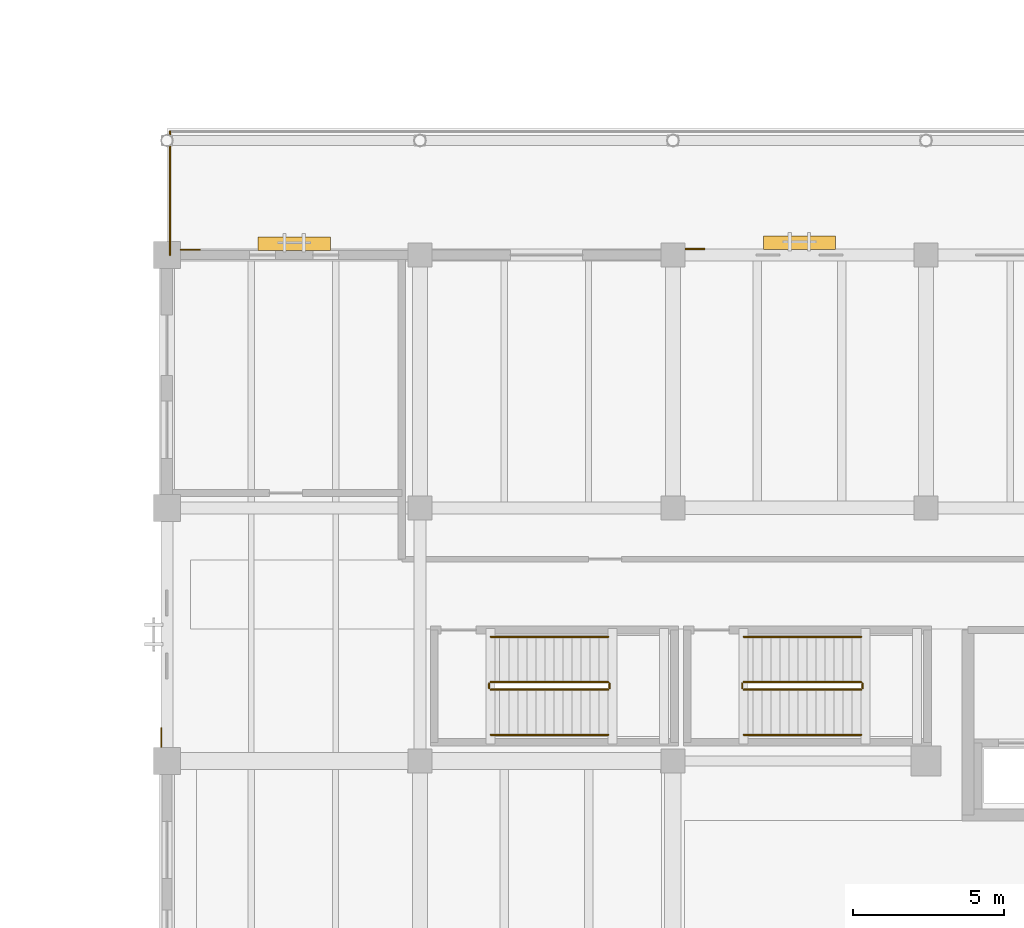
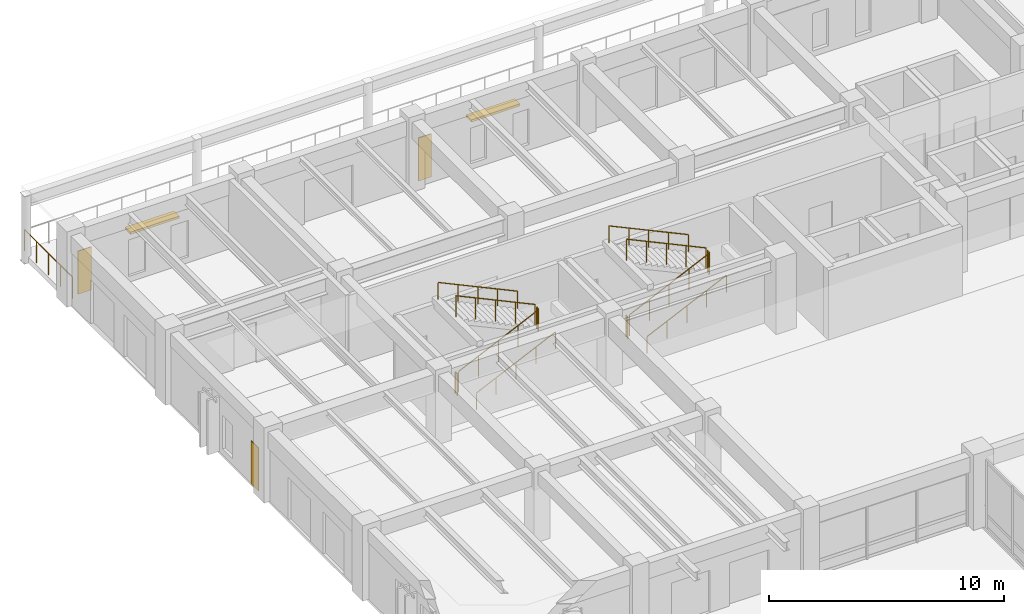
# One storey, part 116 of 135: 13 railings, 3 coverings, 2 shading devices.
"""IFC4 building model written with IfcOpenShell, lengths in metres."""

from ifc_helpers import new_model, si_unit, direction, frame, origin, origin_2d, place, context, subcontext, project, spatial, polyline, rectangle, circle, outline, extrude, material, layer, layer_set, type_object, element, save


model = new_model("IFC4")

# Units and contexts
model_context = context("Model", 3, precision=1e-05, world=origin(), true_north=direction((0.0, 1.0)))
body_context = subcontext(model_context, "Body", "Model", "MODEL_VIEW")
ifc_project = project(units=[si_unit("LENGTHUNIT", "METRE"), si_unit("AREAUNIT", "SQUARE_METRE"), si_unit("VOLUMEUNIT", "CUBIC_METRE"), si_unit("PLANEANGLEUNIT", "RADIAN"), si_unit("MASSUNIT", "GRAM", prefix="KILO")], contexts=[model_context])

# Site, building, storey
site_placement = place(None, origin())
site = spatial("IfcSite", under=ifc_project, at=site_placement, CompositionType="ELEMENT")
building_placement = place(site_placement, origin())
building = spatial("IfcBuilding", under=site, at=building_placement, Name="Cumbredor Promenade Congress Hotel", CompositionType="ELEMENT")
storey_placement = place(building_placement, origin())
storey = spatial("IfcBuildingStorey", under=building, at=storey_placement, Name="L00", CompositionType="ELEMENT", Elevation=0.0)

# Covering
ifc_material_1 = material(Name="Precast concrete C40/50", Category="concrete")
ifc_layer_1 = layer(ifc_material_1, 0.044921875, Name="Precast concrete C40/50", Category="concrete")
ifc_layer_set_1 = layer_set([ifc_layer_1], Name="Precast concrete C40/50")
covering_type_1 = type_object("IfcCoveringType", Name="Board-Formed Architectural Cladding Panel 45mm", PredefinedType="CLADDING", material=ifc_layer_set_1)
covering_1_placement = place(storey_placement, origin())
element("IfcCovering", 1, at=covering_1_placement, inside=storey, type_object=covering_type_1, Name="L00 Facade Stone Cladding Pier 038", PredefinedType="CLADDING", context=body_context, shape_type="SweptSolid", body=[
    extrude(outline(polyline([(17.200927734375, 117.77490234375), (17.85107421875, 117.77490234375), (17.85107421875, 117.820068359375), (17.200927734375, 117.820068359375), (17.200927734375, 117.77490234375)])), origin(), (0.0, 0.0, 1.0), 2.25),
])

# Shading devices
ifc_material_2 = material(Name="Thermally broken anodized aluminium", Category="aluminium")
shading_device_type = type_object("IfcShadingDeviceType", Name="Horizontal Bronze Jalousie Louvre JAL-01", PredefinedType="JALOUSIE", material=ifc_material_2)
for number, where, z_axis, x_axis, name in (
    (2, (4.22509765625, 117.97509765625, 2.2099609375), (0.0, 0.0, 1.0), (1.0, 0.0, 0.0), "L00 Horizontal Bronze Jalousie 027"),
    (3, (21.0, 118.0, 2.159912109375), (0.0, 0.0, 1.0), (1.0, 0.0, 0.0), "L00 Horizontal Bronze Jalousie 028"),
):
    element("IfcShadingDevice", number, at=place(storey_placement, frame(where, z_axis=z_axis, x_axis=x_axis)), inside=storey, type_object=shading_device_type, Name=name, PredefinedType="JALOUSIE", context=body_context, shape_type="SweptSolid", body=[
        extrude(rectangle(XDim=2.39990234375, YDim=0.449951171875, at=origin_2d()), origin(), (0.0, 0.0, 1.0), 0.1201171875),
    ])

# Railings
ifc_material_3 = material(Name="Brushed stainless steel", Category="steel")
railing_type_1 = type_object("IfcRailingType", Name="Interior Void & Stair Guardrail GR-1100", PredefinedType="GUARDRAIL", material=ifc_material_3)
railing_1_placement = place(storey_placement, frame((10.75, 103.169921875, 0.139892578125)))
element("IfcRailing", 4, at=railing_1_placement, inside=storey, type_object=railing_type_1, Name="L00 ST-01 stair guard 1", PredefinedType="GUARDRAIL", context=body_context, shape_type="SweptSolid", body=[
    extrude(circle(Radius=0.02392578125, at=origin_2d()), frame((0.0, 0.0, 1.09619140625), z_axis=(0.906172994947, 0.0, 0.42290720404), x_axis=(0.0, 1.0, 0.0)), (0.0, 0.0, 1.0), 4.3037109375),
    extrude(circle(Radius=0.02099609375, at=origin_2d()), origin(), (0.0, 0.0, 1.0), 1.072021484375),
    extrude(circle(Radius=0.02099609375, at=origin_2d()), frame((0.97509765625, 0.0, 0.455078125)), (0.0, 0.0, 1.0), 1.072021484375),
    extrude(circle(Radius=0.02099609375, at=origin_2d()), frame((1.949951171875, 0.0, 0.91015625)), (0.0, 0.0, 1.0), 1.072021484375),
    extrude(circle(Radius=0.02099609375, at=origin_2d()), frame((2.9248046875, 0.0, 1.364990234375)), (0.0, 0.0, 1.0), 1.072021484375),
    extrude(circle(Radius=0.02099609375, at=origin_2d()), frame((3.89990234375, 0.0, 1.820068359375)), (0.0, 0.0, 1.0), 1.072021484375),
])
railing_2_placement = place(storey_placement, frame((14.699951171875, 103.219970703125, 1.9599609375)))
element("IfcRailing", 5, at=railing_2_placement, inside=storey, type_object=railing_type_1, Name="L00 ST-01 stair guard 2", PredefinedType="GUARDRAIL", context=body_context, shape_type="SweptSolid", body=[
    extrude(circle(Radius=0.02392578125, at=origin_2d()), frame((0.0, 0.0, 1.09619140625), z_axis=(0.0, 1.0, 0.0), x_axis=(-1.0, 0.0, 0.0)), (0.0, 0.0, 1.0), 0.150146484375),
    extrude(circle(Radius=0.02099609375, at=origin_2d()), origin(), (0.0, 0.0, 1.0), 1.072021484375),
    extrude(circle(Radius=0.02099609375, at=origin_2d()), frame((0.0, 0.150146484375, 0.0)), (0.0, 0.0, 1.0), 1.072021484375),
])
railing_3_placement = place(storey_placement, frame((14.64990234375, 103.419921875, 2.10009765625)))
element("IfcRailing", 6, at=railing_3_placement, inside=storey, type_object=railing_type_1, Name="L00 ST-01 stair guard 3", PredefinedType="GUARDRAIL", context=body_context, shape_type="SweptSolid", body=[
    extrude(circle(Radius=0.02392578125, at=origin_2d()), frame((0.0, 0.0, 1.09619140625), z_axis=(-0.906194733976, 0.0, 0.422860620199), x_axis=(0.0, -1.0, 0.0)), (0.0, 0.0, 1.0), 4.3037109375),
    extrude(circle(Radius=0.02099609375, at=origin_2d()), origin(), (0.0, 0.0, 1.0), 1.072021484375),
    extrude(circle(Radius=0.02099609375, at=origin_2d()), frame((-0.97509765625, 0.0, 0.455078125)), (0.0, 0.0, 1.0), 1.072021484375),
    extrude(circle(Radius=0.02099609375, at=origin_2d()), frame((-1.949951171875, 0.0, 0.909912109375)), (0.0, 0.0, 1.0), 1.072021484375),
    extrude(circle(Radius=0.02099609375, at=origin_2d()), frame((-2.9248046875, 0.0, 1.36474609375)), (0.0, 0.0, 1.0), 1.072021484375),
    extrude(circle(Radius=0.02099609375, at=origin_2d()), frame((-3.89990234375, 0.0, 1.81982421875)), (0.0, 0.0, 1.0), 1.072021484375),
])
railing_4_placement = place(storey_placement, frame((10.699951171875, 103.219970703125, 0.0)))
element("IfcRailing", 7, at=railing_4_placement, inside=storey, type_object=railing_type_1, Name="L00 ST-01 stair guard 4", PredefinedType="GUARDRAIL", context=body_context, shape_type="SweptSolid", body=[
    extrude(circle(Radius=0.02392578125, at=origin_2d()), frame((0.0, 0.0, 1.09619140625), z_axis=(0.0, 1.0, 0.0), x_axis=(-1.0, 0.0, 0.0)), (0.0, 0.0, 1.0), 0.150146484375),
    extrude(circle(Radius=0.02099609375, at=origin_2d()), origin(), (0.0, 0.0, 1.0), 1.072021484375),
    extrude(circle(Radius=0.02099609375, at=origin_2d()), frame((0.0, 0.150146484375, 0.0)), (0.0, 0.0, 1.0), 1.072021484375),
])
railing_5_placement = place(storey_placement, frame((19.14990234375, 103.169921875, 0.139892578125)))
element("IfcRailing", 8, at=railing_5_placement, inside=storey, type_object=railing_type_1, Name="L00 ST-02 stair guard 1", PredefinedType="GUARDRAIL", context=body_context, shape_type="SweptSolid", body=[
    extrude(circle(Radius=0.02392578125, at=origin_2d()), frame((0.0, 0.0, 1.09619140625), z_axis=(0.906183139995, 0.0, 0.422885465331), x_axis=(0.0, 1.0, 0.0)), (0.0, 0.0, 1.0), 4.303955078125),
    extrude(circle(Radius=0.02099609375, at=origin_2d()), origin(), (0.0, 0.0, 1.0), 1.072021484375),
    extrude(circle(Radius=0.02099609375, at=origin_2d()), frame((0.97509765625, 0.0, 0.455078125)), (0.0, 0.0, 1.0), 1.072021484375),
    extrude(circle(Radius=0.02099609375, at=origin_2d()), frame((1.9501953125, 0.0, 0.91015625)), (0.0, 0.0, 1.0), 1.072021484375),
    extrude(circle(Radius=0.02099609375, at=origin_2d()), frame((2.925048828125, 0.0, 1.364990234375)), (0.0, 0.0, 1.0), 1.072021484375),
    extrude(circle(Radius=0.02099609375, at=origin_2d()), frame((3.900146484375, 0.0, 1.820068359375)), (0.0, 0.0, 1.0), 1.072021484375),
])
railing_6_placement = place(storey_placement, frame((23.10009765625, 103.219970703125, 1.9599609375)))
element("IfcRailing", 9, at=railing_6_placement, inside=storey, type_object=railing_type_1, Name="L00 ST-02 stair guard 2", PredefinedType="GUARDRAIL", context=body_context, shape_type="SweptSolid", body=[
    extrude(circle(Radius=0.02392578125, at=origin_2d()), frame((0.0, 0.0, 1.09619140625), z_axis=(0.0, 1.0, 0.0), x_axis=(-1.0, 0.0, 0.0)), (0.0, 0.0, 1.0), 0.150146484375),
    extrude(circle(Radius=0.02099609375, at=origin_2d()), origin(), (0.0, 0.0, 1.0), 1.072021484375),
    extrude(circle(Radius=0.02099609375, at=origin_2d()), frame((0.0, 0.150146484375, 0.0)), (0.0, 0.0, 1.0), 1.072021484375),
])
railing_7_placement = place(storey_placement, frame((23.050048828125, 103.419921875, 2.10009765625)))
element("IfcRailing", 10, at=railing_7_placement, inside=storey, type_object=railing_type_1, Name="L00 ST-02 stair guard 3", PredefinedType="GUARDRAIL", context=body_context, shape_type="SweptSolid", body=[
    extrude(circle(Radius=0.02392578125, at=origin_2d()), frame((0.0, 0.0, 1.09619140625), z_axis=(-0.906204877032, 0.0, 0.422838882842), x_axis=(0.0, -1.0, 0.0)), (0.0, 0.0, 1.0), 4.3037109375),
    extrude(circle(Radius=0.02099609375, at=origin_2d()), origin(), (0.0, 0.0, 1.0), 1.072021484375),
    extrude(circle(Radius=0.02099609375, at=origin_2d()), frame((-0.97509765625, 0.0, 0.455078125)), (0.0, 0.0, 1.0), 1.072021484375),
    extrude(circle(Radius=0.02099609375, at=origin_2d()), frame((-1.9501953125, 0.0, 0.909912109375)), (0.0, 0.0, 1.0), 1.072021484375),
    extrude(circle(Radius=0.02099609375, at=origin_2d()), frame((-2.925048828125, 0.0, 1.36474609375)), (0.0, 0.0, 1.0), 1.072021484375),
    extrude(circle(Radius=0.02099609375, at=origin_2d()), frame((-3.900146484375, 0.0, 1.81982421875)), (0.0, 0.0, 1.0), 1.072021484375),
])
railing_8_placement = place(storey_placement, frame((19.10009765625, 103.219970703125, 0.0)))
element("IfcRailing", 11, at=railing_8_placement, inside=storey, type_object=railing_type_1, Name="L00 ST-02 stair guard 4", PredefinedType="GUARDRAIL", context=body_context, shape_type="SweptSolid", body=[
    extrude(circle(Radius=0.02392578125, at=origin_2d()), frame((0.0, 0.0, 1.09619140625), z_axis=(0.0, 1.0, 0.0), x_axis=(-1.0, 0.0, 0.0)), (0.0, 0.0, 1.0), 0.150146484375),
    extrude(circle(Radius=0.02099609375, at=origin_2d()), origin(), (0.0, 0.0, 1.0), 1.072021484375),
    extrude(circle(Radius=0.02099609375, at=origin_2d()), frame((0.0, 0.150146484375, 0.0)), (0.0, 0.0, 1.0), 1.072021484375),
])
railing_type_2 = type_object("IfcRailingType", Name="Stair Pitch Handrail HR-900", PredefinedType="HANDRAIL", material=ifc_material_3)
railing_9_placement = place(storey_placement, frame((10.75, 101.669921875, 0.139892578125)))
element("IfcRailing", 12, at=railing_9_placement, inside=storey, type_object=railing_type_2, Name="L00 ST-01 stair handrail 1", PredefinedType="HANDRAIL", context=body_context, shape_type="SweptSolid", body=[
    extrude(circle(Radius=0.02392578125, at=origin_2d()), frame((0.0, 0.0, 0.8759765625), z_axis=(0.906172994947, 0.0, 0.42290720404), x_axis=(0.0, 1.0, 0.0)), (0.0, 0.0, 1.0), 4.3037109375),
    extrude(circle(Radius=0.02099609375, at=origin_2d()), origin(), (0.0, 0.0, 1.0), 0.851806640625),
    extrude(circle(Radius=0.02099609375, at=origin_2d()), frame((0.97509765625, 0.0, 0.455078125)), (0.0, 0.0, 1.0), 0.851806640625),
    extrude(circle(Radius=0.02099609375, at=origin_2d()), frame((1.949951171875, 0.0, 0.91015625)), (0.0, 0.0, 1.0), 0.851806640625),
    extrude(circle(Radius=0.02099609375, at=origin_2d()), frame((2.9248046875, 0.0, 1.364990234375)), (0.0, 0.0, 1.0), 0.851806640625),
    extrude(circle(Radius=0.02099609375, at=origin_2d()), frame((3.89990234375, 0.0, 1.820068359375)), (0.0, 0.0, 1.0), 0.851806640625),
])
railing_10_placement = place(storey_placement, frame((14.64990234375, 104.919921875, 2.10009765625)))
element("IfcRailing", 13, at=railing_10_placement, inside=storey, type_object=railing_type_2, Name="L00 ST-01 stair handrail 2", PredefinedType="HANDRAIL", context=body_context, shape_type="SweptSolid", body=[
    extrude(circle(Radius=0.02392578125, at=origin_2d()), frame((0.0, 0.0, 0.8759765625), z_axis=(-0.906194733976, 0.0, 0.422860620199), x_axis=(0.0, -1.0, 0.0)), (0.0, 0.0, 1.0), 4.3037109375),
    extrude(circle(Radius=0.02099609375, at=origin_2d()), origin(), (0.0, 0.0, 1.0), 0.851806640625),
    extrude(circle(Radius=0.02099609375, at=origin_2d()), frame((-0.97509765625, 0.0, 0.455078125)), (0.0, 0.0, 1.0), 0.851806640625),
    extrude(circle(Radius=0.02099609375, at=origin_2d()), frame((-1.949951171875, 0.0, 0.909912109375)), (0.0, 0.0, 1.0), 0.851806640625),
    extrude(circle(Radius=0.02099609375, at=origin_2d()), frame((-2.9248046875, 0.0, 1.36474609375)), (0.0, 0.0, 1.0), 0.851806640625),
    extrude(circle(Radius=0.02099609375, at=origin_2d()), frame((-3.89990234375, 0.0, 1.81982421875)), (0.0, 0.0, 1.0), 0.851806640625),
])
railing_11_placement = place(storey_placement, frame((19.14990234375, 101.669921875, 0.139892578125)))
element("IfcRailing", 14, at=railing_11_placement, inside=storey, type_object=railing_type_2, Name="L00 ST-02 stair handrail 1", PredefinedType="HANDRAIL", context=body_context, shape_type="SweptSolid", body=[
    extrude(circle(Radius=0.02392578125, at=origin_2d()), frame((0.0, 0.0, 0.8759765625), z_axis=(0.906183139995, 0.0, 0.422885465331), x_axis=(0.0, 1.0, 0.0)), (0.0, 0.0, 1.0), 4.303955078125),
    extrude(circle(Radius=0.02099609375, at=origin_2d()), origin(), (0.0, 0.0, 1.0), 0.851806640625),
    extrude(circle(Radius=0.02099609375, at=origin_2d()), frame((0.97509765625, 0.0, 0.455078125)), (0.0, 0.0, 1.0), 0.851806640625),
    extrude(circle(Radius=0.02099609375, at=origin_2d()), frame((1.9501953125, 0.0, 0.91015625)), (0.0, 0.0, 1.0), 0.851806640625),
    extrude(circle(Radius=0.02099609375, at=origin_2d()), frame((2.925048828125, 0.0, 1.364990234375)), (0.0, 0.0, 1.0), 0.851806640625),
    extrude(circle(Radius=0.02099609375, at=origin_2d()), frame((3.900146484375, 0.0, 1.820068359375)), (0.0, 0.0, 1.0), 0.851806640625),
])
railing_12_placement = place(storey_placement, frame((23.050048828125, 104.919921875, 2.10009765625)))
element("IfcRailing", 15, at=railing_12_placement, inside=storey, type_object=railing_type_2, Name="L00 ST-02 stair handrail 2", PredefinedType="HANDRAIL", context=body_context, shape_type="SweptSolid", body=[
    extrude(circle(Radius=0.02392578125, at=origin_2d()), frame((0.0, 0.0, 0.8759765625), z_axis=(-0.906204877032, 0.0, 0.422838882842), x_axis=(0.0, -1.0, 0.0)), (0.0, 0.0, 1.0), 4.3037109375),
    extrude(circle(Radius=0.02099609375, at=origin_2d()), origin(), (0.0, 0.0, 1.0), 0.851806640625),
    extrude(circle(Radius=0.02099609375, at=origin_2d()), frame((-0.97509765625, 0.0, 0.455078125)), (0.0, 0.0, 1.0), 0.851806640625),
    extrude(circle(Radius=0.02099609375, at=origin_2d()), frame((-1.9501953125, 0.0, 0.909912109375)), (0.0, 0.0, 1.0), 0.851806640625),
    extrude(circle(Radius=0.02099609375, at=origin_2d()), frame((-2.925048828125, 0.0, 1.36474609375)), (0.0, 0.0, 1.0), 0.851806640625),
    extrude(circle(Radius=0.02099609375, at=origin_2d()), frame((-3.900146484375, 0.0, 1.81982421875)), (0.0, 0.0, 1.0), 0.851806640625),
])
railing_type_3 = type_object("IfcRailingType", Name="Terrace Perimeter Balustrade BAL-1120", PredefinedType="BALUSTRADE", material=ifc_material_3)
railing_13_placement = place(storey_placement, frame((0.10009765625, 117.60009765625, 0.0)))
element("IfcRailing", 16, at=railing_13_placement, inside=storey, type_object=railing_type_3, Name="L00 Promenade Terrace Balustrade 13", PredefinedType="BALUSTRADE", context=body_context, shape_type="SweptSolid", body=[
    extrude(circle(Radius=0.02392578125, at=origin_2d()), frame((0.0, 0.0, 1.09619140625), z_axis=(0.0, 1.0, 0.0), x_axis=(-1.0, 0.0, 0.0)), (0.0, 0.0, 1.0), 4.099853515625),
    extrude(circle(Radius=0.02099609375, at=origin_2d()), origin(), (0.0, 0.0, 1.0), 1.072021484375),
    extrude(circle(Radius=0.02099609375, at=origin_2d()), frame((0.0, 1.02490234375, 0.0)), (0.0, 0.0, 1.0), 1.072021484375),
    extrude(circle(Radius=0.02099609375, at=origin_2d()), frame((0.0, 2.0498046875, 0.0)), (0.0, 0.0, 1.0), 1.072021484375),
    extrude(circle(Radius=0.02099609375, at=origin_2d()), frame((0.0, 3.074951171875, 0.0)), (0.0, 0.0, 1.0), 1.072021484375),
    extrude(circle(Radius=0.02099609375, at=origin_2d()), frame((0.0, 4.099853515625, 0.0)), (0.0, 0.0, 1.0), 1.072021484375),
])

# Coverings
ifc_material_4 = material(Name="Volcanic andesite ashlar cladding", Category="masonry")
ifc_layer_2 = layer(ifc_material_4, 0.034912109375, Name="Volcanic andesite ashlar cladding", Category="masonry")
ifc_layer_set_2 = layer_set([ifc_layer_2], Name="Volcanic andesite ashlar cladding")
covering_type_2 = type_object("IfcCoveringType", Name="Volcanic Andesite Ashlar Rainscreen Cladding 35mm", PredefinedType="CLADDING", material=ifc_layer_set_2)
covering_2_placement = place(storey_placement, origin())
element("IfcCovering", 17, at=covering_2_placement, inside=storey, type_object=covering_type_2, Name="L00 Facade Stone Cladding Pier 037", PredefinedType="CLADDING", context=body_context, shape_type="SweptSolid", body=[
    extrude(outline(polyline([(0.450927734375, 117.75), (1.10107421875, 117.75), (1.10107421875, 117.784912109375), (0.450927734375, 117.784912109375), (0.450927734375, 117.75)])), origin(), (0.0, 0.0, 1.0), 2.25),
])
covering_3_placement = place(storey_placement, origin())
element("IfcCovering", 18, at=covering_3_placement, inside=storey, type_object=covering_type_2, Name="L00 Facade Stone Cladding Pier 043", PredefinedType="CLADDING", context=body_context, shape_type="SweptSolid", body=[
    extrude(outline(polyline([(-0.175048828125, 101.2509765625), (-0.175048828125, 101.90087890625), (-0.2099609375, 101.90087890625), (-0.2099609375, 101.2509765625), (-0.175048828125, 101.2509765625)])), origin(), (0.0, 0.0, 1.0), 2.25),
])

save(model, "model.ifc")
